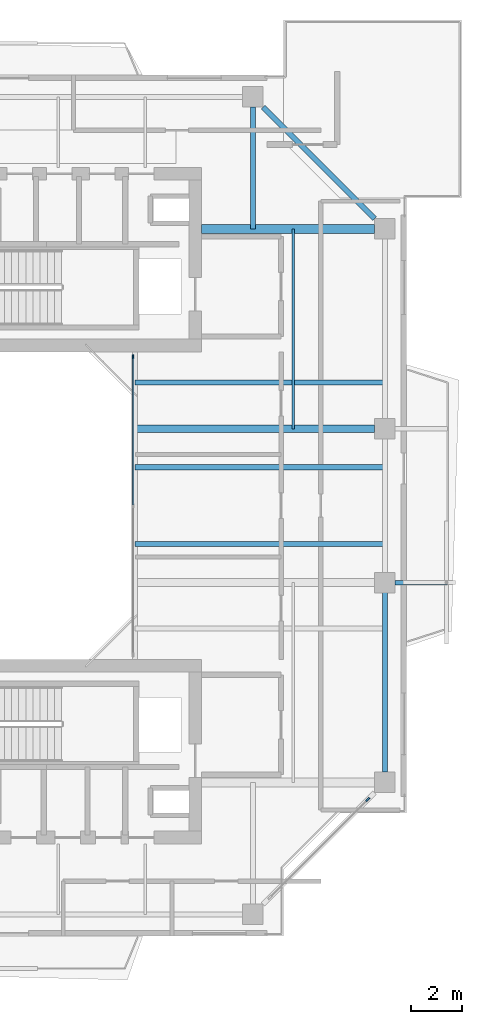
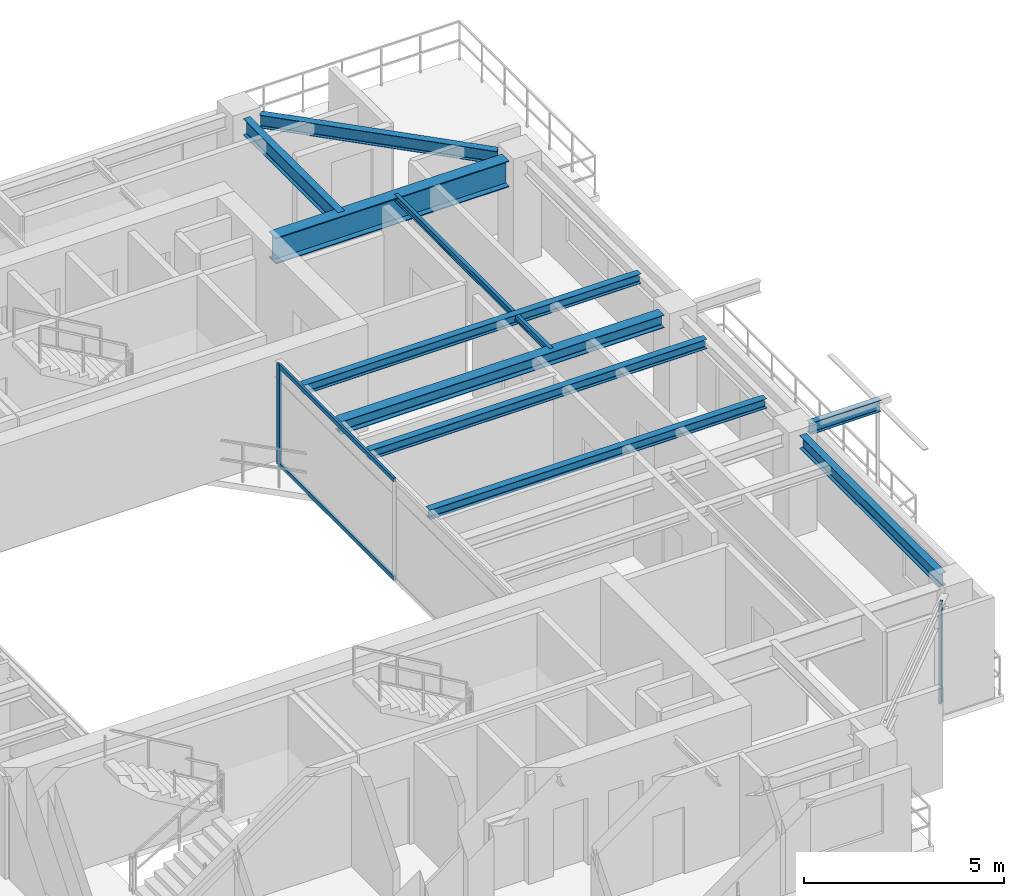
# One storey, part 6 of 16: 10 beams, 4 members, 2 elements without a shape of their own.
"""IFC4 building model written with IfcOpenShell, lengths in metres."""

import ifcopenshell
import ifcopenshell.guid

model = None  # the IFC model being written
_history = None  # IfcOwnerHistory: only IFC2X3 demands one
_inside = {}  # id of a spatial element -> (the spatial element, [elements in it])
_under = {}  # id of a project, library or spatial element -> (it, [spatial elements below it])
_declared = {}  # id of a project -> (the project, [libraries it declares])
_typed = {}  # id of a type object -> (the type object, [elements of that type])
_made_of = {}  # id of a material, layer set ... -> (it, [elements and type objects made of it])


def new_model(schema):
    """Start an empty IFC model of exactly this schema.

    Asked for "IFC4X3", IfcOpenShell would pick the latest addendum, in which some entities
    have other attributes; the version numbers below select the first issue.
    IFC2X3 requires an IfcOwnerHistory on every rooted entity: one is made here for all.
    """
    global model, _history
    if schema == "IFC4X3":
        model = ifcopenshell.file(schema_version=(4, 3, 0, 0))
    else:
        model = ifcopenshell.file(schema=schema)
    _inside.clear()
    _under.clear()
    _declared.clear()
    _typed.clear()
    _made_of.clear()
    _history = None
    if model.schema == "IFC2X3":
        org = make("IfcOrganization", Name="unknown")
        user = make(
            "IfcPersonAndOrganization",
            ThePerson=make("IfcPerson", FamilyName="unknown"),
            TheOrganization=org,
        )
        app = make(
            "IfcApplication",
            ApplicationDeveloper=org,
            Version="unknown",
            ApplicationFullName="unknown",
            ApplicationIdentifier="unknown",
        )
        _history = make(
            "IfcOwnerHistory",
            OwningUser=user,
            OwningApplication=app,
            ChangeAction="ADDED",
            CreationDate=0,
        )
    return model


def make(cls, **values):
    """One entity of the class cls with the attributes given. An attribute that is None is left unset."""
    return model.create_entity(
        cls, **{name: value for name, value in values.items() if value is not None}
    )


def rooted(cls, **values):
    """An entity with a GlobalId (a new one), such as an element, a storey or a relation."""
    return make(cls, GlobalId=ifcopenshell.guid.new(), OwnerHistory=_history, **values)


def si_unit(unit_type, name, prefix=None):
    """IfcSIUnit, for example si_unit("LENGTHUNIT", "METRE", prefix="MILLI")."""
    return make("IfcSIUnit", UnitType=unit_type, Prefix=prefix, Name=name)


def assignment(units):
    """IfcUnitAssignment: the units of a project."""
    return None if units is None else make("IfcUnitAssignment", Units=units)


def point(xyz):
    """IfcCartesianPoint."""
    return None if xyz is None else make("IfcCartesianPoint", Coordinates=xyz)


def direction(xyz):
    """IfcDirection."""
    return None if xyz is None else make("IfcDirection", DirectionRatios=xyz)


def frame(location, z_axis=None, x_axis=None):
    """IfcAxis2Placement3D, a coordinate frame: its origin and axes. An axis left out is left unset."""
    return make(
        "IfcAxis2Placement3D",
        Location=point(location),
        Axis=direction(z_axis),
        RefDirection=direction(x_axis),
    )


def frame_2d(location, x_axis=None):
    """IfcAxis2Placement2D, a coordinate frame in the plane: its origin and x axis."""
    return make(
        "IfcAxis2Placement2D", Location=point(location), RefDirection=direction(x_axis)
    )


def origin():
    """The frame at (0, 0, 0) with its axes left unset."""
    return frame((0.0, 0.0, 0.0))


def origin_2d():
    """The frame at (0, 0) in the plane with its x axis left unset."""
    return frame_2d((0.0, 0.0))


def place(relative_to, where):
    """IfcLocalPlacement: puts the frame where relative to a parent placement (None: the world)."""
    return make(
        "IfcLocalPlacement", PlacementRelTo=relative_to, RelativePlacement=where
    )


def context(
    kind, dimensions, precision=None, world=None, true_north=None, identifier=None
):
    """IfcGeometricRepresentationContext, for example the 3D "Model" context."""
    return make(
        "IfcGeometricRepresentationContext",
        ContextIdentifier=identifier,
        ContextType=kind,
        CoordinateSpaceDimension=dimensions,
        Precision=precision,
        WorldCoordinateSystem=world,
        TrueNorth=true_north,
    )


def subcontext(parent, identifier, kind, view, scale=None):
    """IfcGeometricRepresentationSubContext, for example "Body" below "Model"."""
    return make(
        "IfcGeometricRepresentationSubContext",
        ContextIdentifier=identifier,
        ContextType=kind,
        ParentContext=parent,
        TargetScale=scale,
        TargetView=view,
    )


def project(units=None, contexts=None):
    """IfcProject with its units and contexts."""
    return rooted(
        "IfcProject",
        Name="project",
        RepresentationContexts=contexts,
        UnitsInContext=assignment(units),
    )


def spatial(cls, under=None, at=None, **own):
    """A site, building, storey or space (cls), placed at a placement, below another one or the project."""
    s = rooted(cls, ObjectPlacement=at, **own)
    if under is not None:
        _under.setdefault(under.id(), (under, []))[1].append(s)
    return s


def profile(cls, at=None, kind="AREA", **sizes):
    """A parametric profile (cls). Its sizes go by their IFC names, for example OverallWidth=200.0."""
    return make(cls, ProfileType=kind, Position=at, **sizes)


def rectangle(**sizes):
    """IfcRectangleProfileDef."""
    return profile("IfcRectangleProfileDef", **sizes)


def i_section(**sizes):
    """IfcIShapeProfileDef."""
    return profile("IfcIShapeProfileDef", **sizes)


def extrude(swept, where, along, depth):
    """IfcExtrudedAreaSolid: the profile swept, set in the frame where, extruded along a direction by depth."""
    return make(
        "IfcExtrudedAreaSolid",
        SweptArea=swept,
        Position=where,
        ExtrudedDirection=direction(along),
        Depth=depth,
    )


def shape(context_of_items, identifier, shape_type, items):
    """IfcShapeRepresentation: the items that make up one representation, for example the "Body"."""
    return make(
        "IfcShapeRepresentation",
        ContextOfItems=context_of_items,
        RepresentationIdentifier=identifier,
        RepresentationType=shape_type,
        Items=items,
    )


def source(mapping_origin, context_of_items, identifier, shape_type, items):
    """IfcRepresentationMap: a shape defined once, which mapped items show again and again."""
    return make(
        "IfcRepresentationMap",
        MappingOrigin=mapping_origin,
        MappedRepresentation=shape(context_of_items, identifier, shape_type, items),
    )


def transform(
    local_origin,
    x_axis=None,
    y_axis=None,
    z_axis=None,
    scale=None,
    scale2=None,
    scale3=None,
    uniform=True,
):
    """IfcCartesianTransformationOperator3D, or its non-uniform kind. x_axis, y_axis, z_axis: its Axis1, 2, 3."""
    if uniform:
        return make(
            "IfcCartesianTransformationOperator3D",
            Axis1=direction(x_axis),
            Axis2=direction(y_axis),
            LocalOrigin=point(local_origin),
            Scale=scale,
            Axis3=direction(z_axis),
        )
    return make(
        "IfcCartesianTransformationOperator3DnonUniform",
        Axis1=direction(x_axis),
        Axis2=direction(y_axis),
        LocalOrigin=point(local_origin),
        Scale=scale,
        Axis3=direction(z_axis),
        Scale2=scale2,
        Scale3=scale3,
    )


def mapped(mapping_source, mapping_target):
    """IfcMappedItem: shows the shape of a source again, moved by a transform."""
    return make(
        "IfcMappedItem", MappingSource=mapping_source, MappingTarget=mapping_target
    )


def material(Name=None, Category=None):
    """IfcMaterial."""
    return make("IfcMaterial", Name=Name, Category=Category)


def layer(
    of_material, thickness, ventilated=None, Name=None, Category=None, Priority=None
):
    """IfcMaterialLayer: one layer of a wall or slab, of a material (None: an air gap)."""
    return make(
        "IfcMaterialLayer",
        Material=of_material,
        LayerThickness=thickness,
        IsVentilated=ventilated,
        Name=Name,
        Category=Category,
        Priority=Priority,
    )


def layer_set(layers, Name=None):
    """IfcMaterialLayerSet."""
    return make("IfcMaterialLayerSet", MaterialLayers=layers, LayerSetName=Name)


def material_profile(
    of_material, cross_section, Name=None, Category=None, Priority=None
):
    """IfcMaterialProfile: a cross section and its material."""
    return make(
        "IfcMaterialProfile",
        Name=Name,
        Material=of_material,
        Profile=cross_section,
        Priority=Priority,
        Category=Category,
    )


def profile_set(profiles, Name=None, composite=None):
    """IfcMaterialProfileSet."""
    return make(
        "IfcMaterialProfileSet",
        Name=Name,
        MaterialProfiles=profiles,
        CompositeProfile=composite,
    )


def made_of(thing, what):
    """Note that an element or type object is made of a material, layer set ...; save() writes the relation."""
    if what is not None:
        _made_of.setdefault(what.id(), (what, []))[1].append(thing)
    return thing


def type_object(cls, material=None, **own):
    """A type object (cls), such as IfcWallType, which elements share."""
    return made_of(rooted(cls, **own), material)


def element(
    cls,
    number,
    at=None,
    inside=None,
    cuts=None,
    type_object=None,
    material=None,
    context=None,
    identifier="Body",
    shape_type=None,
    held_by="IfcProductDefinitionShape",
    body=None,
    shapes=None,
    **own,
):
    """One element of the class cls, such as IfcWall. Its Tag is "e" and its number.

    at: its placement. inside: the storey or other place that contains it. cuts: it is an
    opening in that element (IfcRelVoidsElement). A single representation is given by context,
    identifier, shape_type and body (its items); several are given by shapes. held_by: the class
    of the entity that holds the representations. save() writes the other relations.
    """
    e = rooted(cls, Tag="e%d" % number, ObjectPlacement=at, **own)
    if body is not None:
        shapes = [shape(context, identifier, shape_type, body)]
    if shapes is not None:
        e.Representation = make(held_by, Representations=shapes)
    if inside is not None:
        _inside.setdefault(inside.id(), (inside, []))[1].append(e)
    if cuts is not None:
        rooted(
            "IfcRelVoidsElement", RelatingBuildingElement=cuts, RelatedOpeningElement=e
        )
    if type_object is not None:
        _typed.setdefault(type_object.id(), (type_object, []))[1].append(e)
    return made_of(e, material)


def aggregate(whole, parts):
    """IfcRelAggregates: a whole, such as a stair, and the parts it consists of."""
    return rooted("IfcRelAggregates", RelatingObject=whole, RelatedObjects=parts)


def save(model, path):
    """Write the relations noted so far, then the file.

    IfcRelAggregates (storeys below a building ...), IfcRelContainedInSpatialStructure (elements
    in a storey), IfcRelDefinesByType, IfcRelAssociatesMaterial and IfcRelDeclares: one each for
    every whole, place, type object, material and project.
    """
    for whole, parts in _under.values():
        aggregate(whole, parts)
    for where, things in _inside.values():
        rooted(
            "IfcRelContainedInSpatialStructure",
            RelatedElements=things,
            RelatingStructure=where,
        )
    for kind, things in _typed.values():
        rooted("IfcRelDefinesByType", RelatedObjects=things, RelatingType=kind)
    for what, things in _made_of.values():
        rooted("IfcRelAssociatesMaterial", RelatedObjects=things, RelatingMaterial=what)
    for by, libraries in _declared.values():
        rooted("IfcRelDeclares", RelatingContext=by, RelatedDefinitions=libraries)
    model.write(path)


model = new_model("IFC4")

# Units and contexts
model_context = context("Model", 3, precision=1e-05, world=origin(), true_north=direction((0.0, 1.0)))
body_context = subcontext(model_context, "Body", "Model", "MODEL_VIEW")
ifc_project = project(units=[si_unit("LENGTHUNIT", "METRE"), si_unit("AREAUNIT", "SQUARE_METRE"), si_unit("VOLUMEUNIT", "CUBIC_METRE"), si_unit("PLANEANGLEUNIT", "RADIAN"), si_unit("MASSUNIT", "GRAM", prefix="KILO"), si_unit("THERMODYNAMICTEMPERATUREUNIT", "KELVIN"), si_unit("POWERUNIT", "WATT")], contexts=[model_context])

# Site, building, storey
site_placement = place(None, origin())
site = spatial("IfcSite", under=ifc_project, at=site_placement, CompositionType="ELEMENT")
building_placement = place(site_placement, origin())
building = spatial("IfcBuilding", under=site, at=building_placement, Name="Qiaomeng Ring Towers", CompositionType="ELEMENT")
storey_placement = place(building_placement, frame((0.0, 0.0, 223.0)))
storey = spatial("IfcBuildingStorey", under=building, at=storey_placement, Name="L65", CompositionType="ELEMENT", Elevation=223.0)

# Beams
ifc_material_1 = material(Name="Steel Q355B", Category="steel")
ifc_material_profile_1 = material_profile(ifc_material_1, i_section(OverallWidth=0.198974609375, OverallDepth=0.39599609375, WebThickness=0.007080078125, FlangeThickness=0.010986328125, FilletRadius=0.01611328125, at=origin_2d()), Name="HN 396x199x7x11")
ifc_profile_set_1 = profile_set([ifc_material_profile_1], Name="Steel Q355B")
beam_type_1 = type_object("IfcBeamType", Name="STR-BM-HN396", PredefinedType="SPANDREL", material=ifc_profile_set_1)
shared_shape_1 = source(origin(), body_context, "Body", "SweptSolid", [
    extrude(i_section(OverallWidth=0.198974609375, OverallDepth=0.39599609375, WebThickness=0.007080078125, FlangeThickness=0.010986328125, FilletRadius=0.01611328125, at=origin_2d()), origin(), (0.0, 0.0, 1.0), 6.154052734375),
])
beam_1_placement = place(storey_placement, frame((34.55078125, 34.19921875, 2.8720703125), z_axis=(-0.707106781187, 0.707106781187, 0.0), x_axis=(-0.707106781187, -0.707106781187, 0.0)))
element("IfcBeam", 1, at=beam_1_placement, inside=storey, type_object=beam_type_1, Name="L65 beam STR-SP-L65-T1-E4-N2", PredefinedType="SPANDREL", context=body_context, shape_type="MappedRepresentation", body=[
    mapped(shared_shape_1, transform((0.0, 0.0, 0.0), x_axis=(1.0, 0.0, 0.0), y_axis=(0.0, 1.0, 0.0), z_axis=(0.0, 0.0, 1.0), scale=1.0)),
])
shared_shape_2 = source(origin(), body_context, "Body", "SweptSolid", [
    extrude(i_section(OverallWidth=0.198974609375, OverallDepth=0.39599609375, WebThickness=0.007080078125, FlangeThickness=0.010986328125, FilletRadius=0.01611328125, at=origin_2d()), origin(), (0.0, 0.0, 1.0), 7.001953125),
])
beam_2_placement = place(storey_placement, frame((34.949951171875, 12.59912109375, 2.8720703125), z_axis=(0.0, 1.0, 0.0), x_axis=(-1.0, 0.0, 0.0)))
element("IfcBeam", 2, at=beam_2_placement, inside=storey, type_object=beam_type_1, Name="L65 beam STR-SP-L65-T1-E1-E2", PredefinedType="SPANDREL", context=body_context, shape_type="MappedRepresentation", body=[
    mapped(shared_shape_2, transform((0.0, 0.0, 0.0), x_axis=(1.0, 0.0, 0.0), y_axis=(0.0, 1.0, 0.0), z_axis=(0.0, 0.0, 1.0), scale=1.0)),
])
ifc_material_2 = material(Name="Steel Q390GJC", Category="steel")
ifc_material_profile_2 = material_profile(ifc_material_2, i_section(OverallWidth=0.35009765625, OverallDepth=0.800048828125, WebThickness=0.01611328125, FlangeThickness=0.028076171875, at=origin_2d()), Name="WH 800x350x16x28")
ifc_profile_set_2 = profile_set([ifc_material_profile_2], Name="Steel Q390GJC")
beam_type_2 = type_object("IfcBeamType", Name="STR-BM-WH800", PredefinedType="BEAM", material=ifc_profile_set_2)
shared_shape_3 = source(origin(), body_context, "Body", "SweptSolid", [
    extrude(i_section(OverallWidth=0.35009765625, OverallDepth=0.800048828125, WebThickness=0.01611328125, FlangeThickness=0.028076171875, at=origin_2d()), origin(), (0.0, 0.0, 1.0), 6.7509765625),
])
beam_3_placement = place(storey_placement, frame((27.800048828125, 33.800048828125, 2.669921875), z_axis=(1.0, 0.0, 0.0), x_axis=(0.0, 1.0, 0.0)))
element("IfcBeam", 3, at=beam_3_placement, inside=storey, type_object=beam_type_2, Name="L65 beam STR-BM-L65-T1-RAD-E4", PredefinedType="BEAM", context=body_context, shape_type="MappedRepresentation", body=[
    mapped(shared_shape_3, transform((0.0, 0.0, 0.0), x_axis=(1.0, 0.0, 0.0), y_axis=(0.0, 1.0, 0.0), z_axis=(0.0, 0.0, 1.0), scale=1.0)),
])
ifc_material_profile_3 = material_profile(ifc_material_1, i_section(OverallWidth=0.300048828125, OverallDepth=0.389892578125, WebThickness=0.010009765625, FlangeThickness=0.01611328125, FilletRadius=0.02197265625, at=origin_2d()), Name="HM 390x300x10x16")
ifc_profile_set_3 = profile_set([ifc_material_profile_3], Name="Steel Q355B")
beam_type_3 = type_object("IfcBeamType", Name="STR-BM-HM390", PredefinedType="BEAM", material=ifc_profile_set_3)
shared_shape_4 = source(origin(), body_context, "Body", "SweptSolid", [
    extrude(i_section(OverallWidth=0.300048828125, OverallDepth=0.389892578125, WebThickness=0.010009765625, FlangeThickness=0.01611328125, FilletRadius=0.02197265625, at=origin_2d()), origin(), (0.0, 0.0, 1.0), 9.35107421875),
])
beam_4_placement = place(storey_placement, frame((25.199951171875, 26.0, 2.875), z_axis=(1.0, 0.0, 0.0), x_axis=(0.0, 1.0, 0.0)))
element("IfcBeam", 4, at=beam_4_placement, inside=storey, type_object=beam_type_3, Name="L65 beam STR-BM-L65-T1-RAD-E3", PredefinedType="BEAM", context=body_context, shape_type="MappedRepresentation", body=[
    mapped(shared_shape_4, transform((0.0, 0.0, 0.0), x_axis=(1.0, 0.0, 0.0), y_axis=(0.0, 1.0, 0.0), z_axis=(0.0, 0.0, 1.0), scale=1.0)),
])
ifc_material_profile_4 = material_profile(ifc_material_1, i_section(OverallWidth=0.175048828125, OverallDepth=0.35009765625, WebThickness=0.007080078125, FlangeThickness=0.010986328125, FilletRadius=0.013916015625, at=origin_2d()), Name="HN 350x175x7x11")
ifc_profile_set_4 = profile_set([ifc_material_profile_4], Name="Steel Q355B")
beam_type_4 = type_object("IfcBeamType", Name="STR-BM-HN350", PredefinedType="JOIST", material=ifc_profile_set_4)
shared_shape_5 = source(origin(), body_context, "Body", "SweptSolid", [
    extrude(i_section(OverallWidth=0.175048828125, OverallDepth=0.35009765625, WebThickness=0.007080078125, FlangeThickness=0.010986328125, FilletRadius=0.013916015625, at=origin_2d()), origin(), (0.0, 0.0, 1.0), 2.05078125),
])
beam_5_placement = place(storey_placement, frame((35.34912109375, 20.0, 2.89501953125), z_axis=(1.0, 0.0, 0.0), x_axis=(0.0, 1.0, 0.0)))
element("IfcBeam", 5, at=beam_5_placement, inside=storey, type_object=beam_type_4, Name="L65 beam STR-BALBM-L65-E2", PredefinedType="JOIST", context=body_context, shape_type="MappedRepresentation", body=[
    mapped(shared_shape_5, transform((0.0, 0.0, 0.0), x_axis=(1.0, 0.0, 0.0), y_axis=(0.0, 1.0, 0.0), z_axis=(0.0, 0.0, 1.0), scale=1.0)),
])
ifc_material_profile_5 = material_profile(ifc_material_1, i_section(OverallWidth=0.199951171875, OverallDepth=0.2939453125, WebThickness=0.008056640625, FlangeThickness=0.011962890625, FilletRadius=0.01806640625, at=origin_2d()), Name="HM 294x200x8x12")
ifc_profile_set_5 = profile_set([ifc_material_profile_5], Name="Steel Q355B")
beam_type_5 = type_object("IfcBeamType", Name="STR-BM-HM294", PredefinedType="JOIST", material=ifc_profile_set_5)
shared_shape_6 = source(origin(), body_context, "Body", "SweptSolid", [
    extrude(i_section(OverallWidth=0.199951171875, OverallDepth=0.2939453125, WebThickness=0.008056640625, FlangeThickness=0.011962890625, FilletRadius=0.01806640625, at=origin_2d()), origin(), (0.0, 0.0, 1.0), 9.75),
])
for number, where, z_axis, x_axis, name in (
    (6, (25.199951171875, 21.5, 2.923095703125), (1.0, 0.0, 0.0), (0.0, 1.0, 0.0), "L65 beam STR-JST-L65-T1E-2"),
    (7, (25.199951171875, 24.5, 2.923095703125), (1.0, 0.0, 0.0), (0.0, 1.0, 0.0), "L65 beam STR-JST-L65-T1E-3"),
    (8, (25.199951171875, 27.800048828125, 2.923095703125), (1.0, 0.0, 0.0), (0.0, 1.0, 0.0), "L65 beam STR-JST-L65-T1E-4"),
):
    element("IfcBeam", number, at=place(storey_placement, frame(where, z_axis=z_axis, x_axis=x_axis)), inside=storey, type_object=beam_type_5, Name=name, PredefinedType="JOIST", context=body_context, shape_type="MappedRepresentation", body=[
        mapped(shared_shape_6, transform((0.0, 0.0, 0.0), x_axis=(1.0, 0.0, 0.0), y_axis=(0.0, 1.0, 0.0), z_axis=(0.0, 0.0, 1.0), scale=1.0)),
    ])
ifc_material_profile_6 = material_profile(ifc_material_1, i_section(OverallWidth=0.10009765625, OverallDepth=0.199951171875, WebThickness=0.005615234375, FlangeThickness=0.008056640625, FilletRadius=0.010986328125, at=origin_2d()), Name="HN 200x100x5.5x8")
ifc_profile_set_6 = profile_set([ifc_material_profile_6], Name="Steel Q355B")
beam_type_6 = type_object("IfcBeamType", Name="STR-BM-HN200", PredefinedType="JOIST", material=ifc_profile_set_6)
shared_shape_7 = source(origin(), body_context, "Body", "SweptSolid", [
    extrude(i_section(OverallWidth=0.10009765625, OverallDepth=0.199951171875, WebThickness=0.005615234375, FlangeThickness=0.008056640625, FilletRadius=0.010986328125, at=origin_2d()), origin(), (0.0, 0.0, 1.0), 7.800048828125),
])
beam_6_placement = place(storey_placement, frame((31.375, 26.0, 2.969970703125), z_axis=(0.0, 1.0, 0.0), x_axis=(-1.0, 0.0, 0.0)))
element("IfcBeam", 9, at=beam_6_placement, inside=storey, type_object=beam_type_6, Name="L65 beam STR-JST-L65-T1C-EN", PredefinedType="JOIST", context=body_context, shape_type="MappedRepresentation", body=[
    mapped(shared_shape_7, transform((0.0, 0.0, 0.0), x_axis=(1.0, 0.0, 0.0), y_axis=(0.0, 1.0, 0.0), z_axis=(0.0, 0.0, 1.0), scale=1.0)),
])
ifc_material_profile_7 = material_profile(ifc_material_1, i_section(OverallWidth=0.198974609375, OverallDepth=0.49609375, WebThickness=0.009033203125, FlangeThickness=0.013916015625, FilletRadius=0.01806640625, at=origin_2d()), Name="HN 496x199x9x14")
ifc_profile_set_7 = profile_set([ifc_material_profile_7], Name="Steel Q355B")
beam_type_7 = type_object("IfcBeamType", Name="STR-BM-HN496", PredefinedType="BEAM", material=ifc_profile_set_7)
shared_shape_8 = source(origin(), body_context, "Body", "SweptSolid", [
    extrude(i_section(OverallWidth=0.198974609375, OverallDepth=0.49609375, WebThickness=0.009033203125, FlangeThickness=0.013916015625, FilletRadius=0.01806640625, at=origin_2d()), origin(), (0.0, 0.0, 1.0), 4.7509765625),
])
beam_7_placement = place(storey_placement, frame((29.800048828125, 38.551025390625, 2.822021484375), z_axis=(0.0, -1.0, 0.0), x_axis=(1.0, 0.0, 0.0)))
element("IfcBeam", 10, at=beam_7_placement, inside=storey, type_object=beam_type_7, Name="L65 beam STR-BM-L65-T1-RAD-N2", PredefinedType="BEAM", context=body_context, shape_type="MappedRepresentation", body=[
    mapped(shared_shape_8, transform((0.0, 0.0, 0.0), x_axis=(1.0, 0.0, 0.0), y_axis=(0.0, 1.0, 0.0), z_axis=(0.0, 0.0, 1.0), scale=1.0)),
])

# Curtain wall, members
ifc_material_3 = material(Name="Fluorocarbon dark-grey aluminium", Category="aluminium")
ifc_layer_1 = layer(ifc_material_3, 0.139892578125, Name="Fluorocarbon dark-grey aluminium")
ifc_layer_set_1 = layer_set([ifc_layer_1], Name="Fluorocarbon dark-grey aluminium")
curtain_wall_type_1 = type_object("IfcCurtainWallType", Name="ARC-CW-4", PredefinedType="NOTDEFINED", material=ifc_layer_set_1)
curtain_wall_1_placement = place(storey_placement, origin())
curtain_wall_1 = element("IfcCurtainWall", 11, at=curtain_wall_1_placement, inside=storey, type_object=curtain_wall_type_1, Name="L65 Curtain Wall CW4", PredefinedType="NOTDEFINED")
ifc_material_profile_8 = material_profile(ifc_material_3, rectangle(XDim=0.06494140625, YDim=0.159912109375, at=origin_2d()), Name="ALU MULL 65x160")
ifc_profile_set_8 = profile_set([ifc_material_profile_8], Name="Fluorocarbon dark-grey aluminium")
member_type_1 = type_object("IfcMemberType", Name="ARC-CWM-140", PredefinedType="MULLION", material=ifc_profile_set_8)
shared_shape_9 = source(origin(), body_context, "Body", "SweptSolid", [
    extrude(rectangle(XDim=0.06494140625, YDim=0.159912109375, at=origin_2d()), origin(), (0.0, 0.0, 1.0), 3.070068359375),
])
member_1_placement = place(storey_placement, frame((25.1201171875, 28.8173828125, 0.0), z_axis=(0.0, 0.0, 1.0), x_axis=(-1.0, 0.0, 0.0)))
member_1 = element("IfcMember", 12, at=member_1_placement, type_object=member_type_1, Name="CW4 mullion 3", PredefinedType="MULLION", context=body_context, shape_type="MappedRepresentation", body=[
    mapped(shared_shape_9, transform((0.0, 0.0, 0.0), x_axis=(1.0, 0.0, 0.0), y_axis=(0.0, 1.0, 0.0), z_axis=(0.0, 0.0, 1.0), scale=1.0)),
])
ifc_material_profile_9 = material_profile(ifc_material_3, rectangle(XDim=0.06494140625, YDim=0.1298828125, at=origin_2d()), Name="ALU TRAN 65x130")
ifc_profile_set_9 = profile_set([ifc_material_profile_9], Name="Fluorocarbon dark-grey aluminium")
member_type_2 = type_object("IfcMemberType", Name="ARC-CWT-120", PredefinedType="USERDEFINED", material=ifc_profile_set_9)
shared_shape_10 = source(origin(), body_context, "Body", "SweptSolid", [
    extrude(rectangle(XDim=0.06494140625, YDim=0.1298828125, at=origin_2d()), origin(), (0.0, 0.0, 1.0), 5.75244140625),
])
member_2_placement = place(storey_placement, frame((25.1201171875, 23.032470703125, 0.032470703125), z_axis=(0.0, 1.0, 0.0), x_axis=(-1.0, 0.0, 0.0)))
member_2 = element("IfcMember", 13, at=member_2_placement, type_object=member_type_2, Name="CW4 transom 2.1", ObjectType="TRANSOM", PredefinedType="USERDEFINED", context=body_context, shape_type="MappedRepresentation", body=[
    mapped(shared_shape_10, transform((0.0, 0.0, 0.0), x_axis=(1.0, 0.0, 0.0), y_axis=(0.0, 1.0, 0.0), z_axis=(0.0, 0.0, 1.0), scale=1.0)),
])
member_3_placement = place(storey_placement, frame((25.1201171875, 23.032470703125, 3.03759765625), z_axis=(0.0, 1.0, 0.0), x_axis=(-1.0, 0.0, 0.0)))
member_3 = element("IfcMember", 14, at=member_3_placement, type_object=member_type_2, Name="CW4 transom 2.2", ObjectType="TRANSOM", PredefinedType="USERDEFINED", context=body_context, shape_type="MappedRepresentation", body=[
    mapped(shared_shape_10, transform((0.0, 0.0, 0.0), x_axis=(1.0, 0.0, 0.0), y_axis=(0.0, 1.0, 0.0), z_axis=(0.0, 0.0, 1.0), scale=1.0)),
])
aggregate(curtain_wall_1, [member_1, member_2, member_3])

# Curtain wall, member
ifc_layer_2 = layer(ifc_material_3, 0.14990234375, Name="Fluorocarbon dark-grey aluminium")
ifc_layer_set_2 = layer_set([ifc_layer_2], Name="Fluorocarbon dark-grey aluminium")
curtain_wall_type_2 = type_object("IfcCurtainWallType", Name="ARC-CW-3", PredefinedType="NOTDEFINED", material=ifc_layer_set_2)
curtain_wall_2_placement = place(storey_placement, origin())
curtain_wall_2 = element("IfcCurtainWall", 15, at=curtain_wall_2_placement, inside=storey, type_object=curtain_wall_type_2, Name="L65 Curtain Wall CW3", PredefinedType="NOTDEFINED")
ifc_material_profile_10 = material_profile(ifc_material_3, rectangle(XDim=0.070068359375, YDim=0.179931640625, at=origin_2d()), Name="ALU MULL 70x180")
ifc_profile_set_10 = profile_set([ifc_material_profile_10], Name="Fluorocarbon dark-grey aluminium")
member_type_3 = type_object("IfcMemberType", Name="ARC-CWM-160", PredefinedType="MULLION", material=ifc_profile_set_10)
shared_shape_11 = source(origin(), body_context, "Body", "SweptSolid", [
    extrude(rectangle(XDim=0.070068359375, YDim=0.179931640625, at=origin_2d()), origin(), (0.0, 0.0, 1.0), 3.070068359375),
])
member_4_placement = place(storey_placement, frame((34.28515625, 11.53515625, 0.0), z_axis=(0.0, 0.0, 1.0), x_axis=(-0.707106781187, 0.707106781187, 0.0)))
member_4 = element("IfcMember", 16, at=member_4_placement, type_object=member_type_3, Name="CW3 mullion 2", PredefinedType="MULLION", context=body_context, shape_type="MappedRepresentation", body=[
    mapped(shared_shape_11, transform((0.0, 0.0, 0.0), x_axis=(1.0, 0.0, 0.0), y_axis=(0.0, 1.0, 0.0), z_axis=(0.0, 0.0, 1.0), scale=1.0)),
])
aggregate(curtain_wall_2, [member_4])

save(model, "model.ifc")
